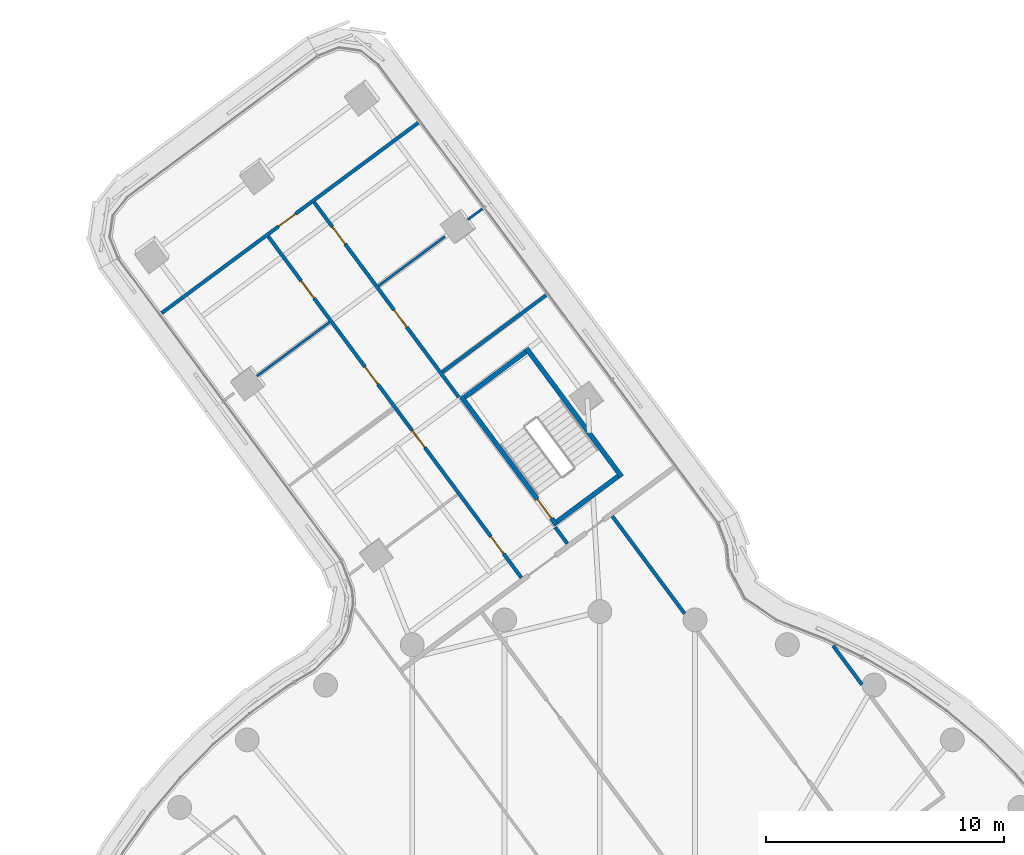
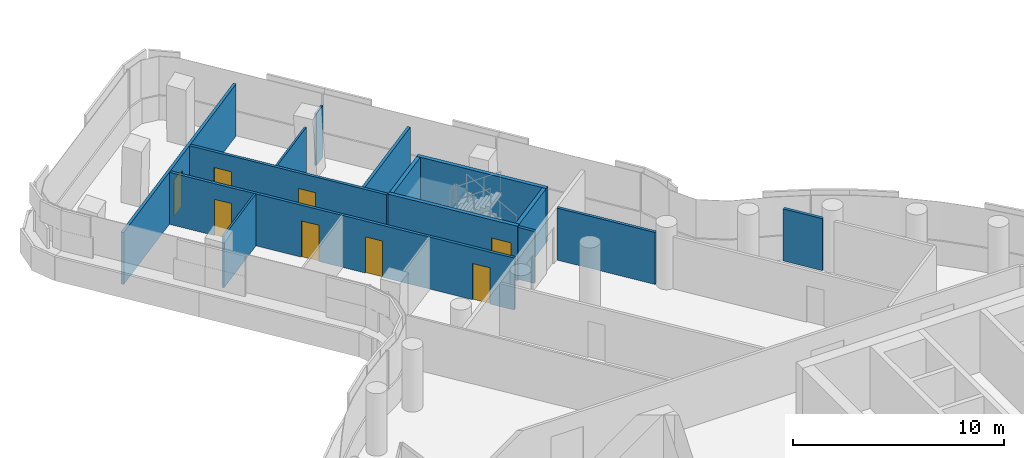
# One storey, part 24 of 32: 14 walls, 8 doors, 8 openings.
"""IFC4 building model written with IfcOpenShell, lengths in metres."""

from ifc_helpers import new_model, si_unit, direction, frame, frame_2d, origin, place, context, subcontext, project, spatial, polyline, rectangle, outline, extrude, material, layer, layer_set, type_object, element, fill, save


model = new_model("IFC4")

# Units and contexts
model_context = context("Model", 3, precision=1e-05, world=origin(), true_north=direction((0.0, 1.0)))
body_context = subcontext(model_context, "Body", "Model", "MODEL_VIEW")
ifc_project = project(units=[si_unit("LENGTHUNIT", "METRE"), si_unit("AREAUNIT", "SQUARE_METRE"), si_unit("VOLUMEUNIT", "CUBIC_METRE"), si_unit("PLANEANGLEUNIT", "RADIAN"), si_unit("MASSUNIT", "GRAM", prefix="KILO")], contexts=[model_context])

# Site, building, storey
site_placement = place(None, origin())
site = spatial("IfcSite", under=ifc_project, at=site_placement, CompositionType="ELEMENT")
building_placement = place(site_placement, origin())
building = spatial("IfcBuilding", under=site, at=building_placement, Name="Tamarind Cross Interchange Tower", CompositionType="ELEMENT")
storey_placement = place(building_placement, frame((0.0, 0.0, 166.75)))
storey = spatial("IfcBuildingStorey", under=building, at=storey_placement, Name="L41", CompositionType="ELEMENT", Elevation=166.75)

# Walls
ifc_material_1 = material(Name="Gypsum board partition on steel studs", Category="steel")
ifc_layer_1 = layer(ifc_material_1, 0.10009765625)
ifc_layer_set_1 = layer_set([ifc_layer_1], Name="Gypsum board partition on steel studs")
wall_type_1 = type_object("IfcWallType", Name="Partition 100 mm EI 90", PredefinedType="PARTITIONING", material=ifc_layer_set_1)
wall_1_placement = place(storey_placement, frame((-14.37841796875, 32.87451171875, 0.0), z_axis=(0.0, 0.0, 1.0), x_axis=(0.803101008, 0.595842907946, 0.0)))
element("IfcWall", 1, at=wall_1_placement, inside=storey, type_object=wall_type_1, Name="Partition L41-045", PredefinedType="PARTITIONING", context=body_context, shape_type="SweptSolid", body=[
    extrude(rectangle(XDim=3.794189453125, YDim=0.10009765625, at=frame_2d((1.89697265625, 0.0))), origin(), (0.0, 0.0, 1.0), 3.010009765625),
])
wall_2_placement = place(storey_placement, frame((-9.279296875, 36.657470703125, 0.0), z_axis=(0.0, 0.0, 1.0), x_axis=(0.80310996287, 0.595830838023, 0.0)))
element("IfcWall", 2, at=wall_2_placement, inside=storey, type_object=wall_type_1, Name="Partition L41-046", PredefinedType="PARTITIONING", context=body_context, shape_type="SweptSolid", body=[
    extrude(rectangle(XDim=3.473388671875, YDim=0.10009765625, at=frame_2d((1.73681640625, 0.0))), origin(), (0.0, 0.0, 1.0), 3.010009765625),
])
wall_3_placement = place(storey_placement, frame((-5.533203125, 39.436767578125, 0.0), z_axis=(0.0, 0.0, 1.0), x_axis=(0.803172949191, 0.595745930484, 0.0)))
element("IfcWall", 3, at=wall_3_placement, inside=storey, type_object=wall_type_1, Name="Partition L41-047", PredefinedType="PARTITIONING", context=body_context, shape_type="SweptSolid", body=[
    extrude(rectangle(XDim=0.75439453125, YDim=0.10009765625, at=frame_2d((0.377197265625, 0.0))), origin(), (0.0, 0.0, 1.0), 3.010009765625),
])

# Wall, openings, doors
ifc_layer_2 = layer(ifc_material_1, 0.14990234375)
ifc_layer_set_2 = layer_set([ifc_layer_2], Name="Gypsum board partition on steel studs")
wall_type_2 = type_object("IfcWallType", Name="Partition 150 mm EI 120", PredefinedType="PARTITIONING", material=ifc_layer_set_2)
wall_4_placement = place(storey_placement, frame((-13.904296875, 38.729736328125, 0.0), z_axis=(0.0, 0.0, 1.0), x_axis=(0.59579618611, -0.803135670119, 0.0)))
wall_4 = element("IfcWall", 4, at=wall_4_placement, inside=storey, type_object=wall_type_2, Name="Partition L41-009", PredefinedType="PARTITIONING", context=body_context, shape_type="SweptSolid", body=[
    extrude(rectangle(XDim=17.820068359375, YDim=0.14990234375, at=frame_2d((8.91015625, 0.0))), origin(), (0.0, 0.0, 1.0), 3.010009765625),
])
opening_1_placement = place(wall_4_placement, frame((15.67041015625, 0.0, 0.0)))
opening_1 = element("IfcOpeningElement", 5, at=opening_1_placement, cuts=wall_4, Name="Opening D03", PredefinedType="OPENING", context=body_context, shape_type="SweptSolid", body=[
    extrude(rectangle(XDim=0.89990234375, YDim=2.10009765625, at=frame_2d((0.449951171875, 1.050048828125))), frame((0.0, 0.0849609375, 0.0), z_axis=(0.0, -1.0, 0.0), x_axis=(1.0, 0.0, 0.0)), (0.0, 0.0, 1.0), 0.169921875),
])
opening_2_placement = place(wall_4_placement, frame((10.12060546875, 0.0, 0.0)))
opening_2 = element("IfcOpeningElement", 6, at=opening_2_placement, cuts=wall_4, Name="Opening D04", PredefinedType="OPENING", context=body_context, shape_type="SweptSolid", body=[
    extrude(rectangle(XDim=0.89990234375, YDim=2.10009765625, at=frame_2d((0.449951171875, 1.050048828125))), frame((0.0, 0.0849609375, 0.0), z_axis=(0.0, -1.0, 0.0), x_axis=(1.0, 0.0, 0.0)), (0.0, 0.0, 1.0), 0.169921875),
])
opening_3_placement = place(wall_4_placement, frame((6.81982421875, 0.0, 0.0)))
opening_3 = element("IfcOpeningElement", 7, at=opening_3_placement, cuts=wall_4, Name="Opening D05", PredefinedType="OPENING", context=body_context, shape_type="SweptSolid", body=[
    extrude(rectangle(XDim=0.89990234375, YDim=2.10009765625, at=frame_2d((0.449951171875, 1.050048828125))), frame((0.0, 0.0849609375, 0.0), z_axis=(0.0, -1.0, 0.0), x_axis=(1.0, 0.0, 0.0)), (0.0, 0.0, 1.0), 0.169921875),
])
opening_4_placement = place(wall_4_placement, frame((2.320068359375, 0.0, 0.0)))
opening_4 = element("IfcOpeningElement", 8, at=opening_4_placement, cuts=wall_4, Name="Opening D06", PredefinedType="OPENING", context=body_context, shape_type="SweptSolid", body=[
    extrude(rectangle(XDim=0.89990234375, YDim=2.10009765625, at=frame_2d((0.449951171875, 1.050048828125))), frame((0.0, 0.0849609375, 0.0), z_axis=(0.0, -1.0, 0.0), x_axis=(1.0, 0.0, 0.0)), (0.0, 0.0, 1.0), 0.169921875),
])
ifc_material_2 = material(Name="Fire-resisting door set")
door_type_1 = type_object("IfcDoorType", Name="Interior door 900 x 2100 FD60S", OperationType="SINGLE_SWING_LEFT", PredefinedType="DOOR", material=ifc_material_2)
door_1_placement = place(opening_1_placement, frame((0.89990234375, 0.0, 0.0), z_axis=(0.0, 0.0, 1.0), x_axis=(-1.0, 0.0, 0.0)))
door_1 = element("IfcDoor", 9, at=door_1_placement, inside=storey, type_object=door_type_1, Name="Door D03", OperationType="SINGLE_SWING_RIGHT", OverallHeight=2.10009765625, OverallWidth=0.89990234375, PredefinedType="DOOR", context=body_context, shape_type="SweptSolid", body=[
    extrude(rectangle(XDim=0.89990234375, YDim=2.10009765625, at=frame_2d((0.449951171875, 1.050048828125))), frame((0.0, 0.02490234375, 0.0), z_axis=(0.0, -1.0, 0.0), x_axis=(1.0, 0.0, 0.0)), (0.0, 0.0, 1.0), 0.050048828125),
])
fill(opening_1, door_1)
door_2_placement = place(opening_2_placement, frame((0.89990234375, 0.0, 0.0), z_axis=(0.0, 0.0, 1.0), x_axis=(-1.0, 0.0, 0.0)))
door_2 = element("IfcDoor", 10, at=door_2_placement, inside=storey, type_object=door_type_1, Name="Door D04", OperationType="SINGLE_SWING_RIGHT", OverallHeight=2.10009765625, OverallWidth=0.89990234375, PredefinedType="DOOR", context=body_context, shape_type="SweptSolid", body=[
    extrude(rectangle(XDim=0.89990234375, YDim=2.10009765625, at=frame_2d((0.449951171875, 1.050048828125))), frame((0.0, 0.02490234375, 0.0), z_axis=(0.0, -1.0, 0.0), x_axis=(1.0, 0.0, 0.0)), (0.0, 0.0, 1.0), 0.050048828125),
])
fill(opening_2, door_2)
door_3_placement = place(opening_3_placement, frame((0.89990234375, 0.0, 0.0), z_axis=(0.0, 0.0, 1.0), x_axis=(-1.0, 0.0, 0.0)))
door_3 = element("IfcDoor", 11, at=door_3_placement, inside=storey, type_object=door_type_1, Name="Door D05", OperationType="SINGLE_SWING_LEFT", OverallHeight=2.10009765625, OverallWidth=0.89990234375, PredefinedType="DOOR", context=body_context, shape_type="SweptSolid", body=[
    extrude(rectangle(XDim=0.89990234375, YDim=2.10009765625, at=frame_2d((0.449951171875, 1.050048828125))), frame((0.0, 0.02490234375, 0.0), z_axis=(0.0, -1.0, 0.0), x_axis=(1.0, 0.0, 0.0)), (0.0, 0.0, 1.0), 0.050048828125),
])
fill(opening_3, door_3)
door_4_placement = place(opening_4_placement, frame((0.89990234375, 0.0, 0.0), z_axis=(0.0, 0.0, 1.0), x_axis=(-1.0, 0.0, 0.0)))
door_4 = element("IfcDoor", 12, at=door_4_placement, inside=storey, type_object=door_type_1, Name="Door D06", OperationType="SINGLE_SWING_LEFT", OverallHeight=2.10009765625, OverallWidth=0.89990234375, PredefinedType="DOOR", context=body_context, shape_type="SweptSolid", body=[
    extrude(rectangle(XDim=0.89990234375, YDim=2.10009765625, at=frame_2d((0.449951171875, 1.050048828125))), frame((0.0, 0.02490234375, 0.0), z_axis=(0.0, -1.0, 0.0), x_axis=(1.0, 0.0, 0.0)), (0.0, 0.0, 1.0), 0.050048828125),
])
fill(opening_4, door_4)

wall_5_placement = place(storey_placement, frame((-11.976318359375, 40.15966796875, 0.0), z_axis=(0.0, 0.0, 1.0), x_axis=(0.595766582298, -0.803157630492, 0.0)))
wall_5 = element("IfcWall", 13, at=wall_5_placement, inside=storey, type_object=wall_type_2, Name="Partition L41-010", PredefinedType="PARTITIONING", context=body_context, shape_type="SweptSolid", body=[
    extrude(rectangle(XDim=10.17919921875, YDim=0.14990234375, at=frame_2d((5.089599609375, 0.0))), origin(), (0.0, 0.0, 1.0), 3.010009765625),
])
opening_5_placement = place(wall_5_placement, frame((5.62060546875, 0.0, 0.0)))
opening_5 = element("IfcOpeningElement", 14, at=opening_5_placement, cuts=wall_5, Name="Opening D07", PredefinedType="OPENING", context=body_context, shape_type="SweptSolid", body=[
    extrude(rectangle(XDim=0.89990234375, YDim=2.10009765625, at=frame_2d((0.449951171875, 1.050048828125))), frame((0.0, 0.0849609375, 0.0), z_axis=(0.0, -1.0, 0.0), x_axis=(1.0, 0.0, 0.0)), (0.0, 0.0, 1.0), 0.169921875),
])
opening_6_placement = place(wall_5_placement, frame((1.27001953125, 0.0, 0.0)))
opening_6 = element("IfcOpeningElement", 15, at=opening_6_placement, cuts=wall_5, Name="Opening D08", PredefinedType="OPENING", context=body_context, shape_type="SweptSolid", body=[
    extrude(rectangle(XDim=0.89990234375, YDim=2.10009765625, at=frame_2d((0.449951171875, 1.050048828125))), frame((0.0, 0.0849609375, 0.0), z_axis=(0.0, -1.0, 0.0), x_axis=(1.0, 0.0, 0.0)), (0.0, 0.0, 1.0), 0.169921875),
])
door_5_placement = place(opening_5_placement, origin())
door_5 = element("IfcDoor", 16, at=door_5_placement, inside=storey, type_object=door_type_1, Name="Door D07", OperationType="SINGLE_SWING_LEFT", OverallHeight=2.10009765625, OverallWidth=0.89990234375, PredefinedType="DOOR", context=body_context, shape_type="SweptSolid", body=[
    extrude(rectangle(XDim=0.89990234375, YDim=2.10009765625, at=frame_2d((0.449951171875, 1.050048828125))), frame((0.0, 0.02490234375, 0.0), z_axis=(0.0, -1.0, 0.0), x_axis=(1.0, 0.0, 0.0)), (0.0, 0.0, 1.0), 0.050048828125),
])
fill(opening_5, door_5)
door_6_placement = place(opening_6_placement, origin())
door_6 = element("IfcDoor", 17, at=door_6_placement, inside=storey, type_object=door_type_1, Name="Door D08", OperationType="SINGLE_SWING_RIGHT", OverallHeight=2.10009765625, OverallWidth=0.89990234375, PredefinedType="DOOR", context=body_context, shape_type="SweptSolid", body=[
    extrude(rectangle(XDim=0.89990234375, YDim=2.10009765625, at=frame_2d((0.449951171875, 1.050048828125))), frame((0.0, 0.02490234375, 0.0), z_axis=(0.0, -1.0, 0.0), x_axis=(1.0, 0.0, 0.0)), (0.0, 0.0, 1.0), 0.050048828125),
])
fill(opening_6, door_6)

# Walls
wall_6_placement = place(storey_placement, frame((-1.871826171875, 26.5380859375, 0.0), z_axis=(0.0, 0.0, 1.0), x_axis=(0.595675602575, -0.803225109478, 0.0)))
element("IfcWall", 18, at=wall_6_placement, inside=storey, type_object=wall_type_2, Name="Partition L41-011", PredefinedType="PARTITIONING", context=body_context, shape_type="SweptSolid", body=[
    extrude(rectangle(XDim=0.85986328125, YDim=0.14990234375, at=frame_2d((0.429931640625, 0.0))), origin(), (0.0, 0.0, 1.0), 3.010009765625),
])
wall_7_placement = place(storey_placement, frame((0.526611328125, 26.997802734375, 0.0), z_axis=(0.0, 0.0, 1.0), x_axis=(0.595769052074, -0.803155798455, 0.0)))
element("IfcWall", 19, at=wall_7_placement, inside=storey, type_object=wall_type_2, Name="Partition L41-018", PredefinedType="PARTITIONING", context=body_context, shape_type="SweptSolid", body=[
    extrude(rectangle(XDim=5.087890625, YDim=0.14990234375, at=frame_2d((2.5439453125, 0.0))), origin(), (0.0, 0.0, 1.0), 3.010009765625),
])
wall_8_placement = place(storey_placement, frame((9.784423828125, 21.56640625, 0.0), z_axis=(0.0, 0.0, 1.0), x_axis=(0.595779392593, -0.803148127908, 0.0)))
element("IfcWall", 20, at=wall_8_placement, inside=storey, type_object=wall_type_2, Name="Partition L41-025", PredefinedType="PARTITIONING", context=body_context, shape_type="SweptSolid", body=[
    extrude(rectangle(XDim=2.031005859375, YDim=0.14990234375, at=frame_2d((1.015625, 0.0))), origin(), (0.0, 0.0, 1.0), 3.010009765625),
])

# Wall, opening, door
wall_9_placement = place(storey_placement, frame((-18.374267578125, 35.513671875, 0.0), z_axis=(0.0, 0.0, 1.0), x_axis=(0.803155656838, 0.595769242987, 0.0)))
wall_9 = element("IfcWall", 21, at=wall_9_placement, inside=storey, type_object=wall_type_2, Name="Partition L41-043", PredefinedType="PARTITIONING", context=body_context, shape_type="SweptSolid", body=[
    extrude(rectangle(XDim=13.405029296875, YDim=0.14990234375, at=frame_2d((6.70263671875, 0.0))), origin(), (0.0, 0.0, 1.0), 3.010009765625),
])
opening_7_placement = place(wall_9_placement, frame((6.106201171875, 0.0, 0.0)))
opening_7 = element("IfcOpeningElement", 22, at=opening_7_placement, cuts=wall_9, Name="Opening D32", PredefinedType="OPENING", context=body_context, shape_type="SweptSolid", body=[
    extrude(rectangle(XDim=0.89990234375, YDim=2.10009765625, at=frame_2d((0.449951171875, 1.050048828125))), frame((0.0, 0.0849609375, 0.0), z_axis=(0.0, -1.0, 0.0), x_axis=(1.0, 0.0, 0.0)), (0.0, 0.0, 1.0), 0.169921875),
])
door_7_placement = place(opening_7_placement, origin())
door_7 = element("IfcDoor", 23, at=door_7_placement, inside=storey, type_object=door_type_1, Name="Door D32", OperationType="SINGLE_SWING_RIGHT", OverallHeight=2.10009765625, OverallWidth=0.89990234375, PredefinedType="DOOR", context=body_context, shape_type="SweptSolid", body=[
    extrude(rectangle(XDim=0.89990234375, YDim=2.10009765625, at=frame_2d((0.449951171875, 1.050048828125))), frame((0.0, 0.02490234375, 0.0), z_axis=(0.0, -1.0, 0.0), x_axis=(1.0, 0.0, 0.0)), (0.0, 0.0, 1.0), 0.050048828125),
])
fill(opening_7, door_7)

# Wall
wall_10_placement = place(storey_placement, frame((-6.597900390625, 33.04296875, 0.0), z_axis=(0.0, 0.0, 1.0), x_axis=(0.803114023256, 0.59582536506, 0.0)))
element("IfcWall", 24, at=wall_10_placement, inside=storey, type_object=wall_type_2, Name="Partition L41-050", PredefinedType="PARTITIONING", context=body_context, shape_type="SweptSolid", body=[
    extrude(rectangle(XDim=5.4189453125, YDim=0.14990234375, at=frame_2d((2.70947265625, 0.0))), origin(), (0.0, 0.0, 1.0), 3.010009765625),
])

# Wall, opening, door
ifc_material_3 = material(Name="Concrete C40", Category="concrete")
ifc_layer_3 = layer(ifc_material_3, 0.199951171875)
ifc_layer_set_3 = layer_set([ifc_layer_3], Name="Concrete C40")
wall_type_3 = type_object("IfcWallType", Name="Stair shaft wall 200 mm Concrete C40", PredefinedType="SHEAR", material=ifc_layer_set_3)
wall_11_placement = place(storey_placement, frame((-1.815673828125, 26.629638671875, -0.139892578125), z_axis=(0.0, 0.0, 1.0), x_axis=(-0.595776416227, 0.803150335783, 0.0)))
wall_11 = element("IfcWall", 25, at=wall_11_placement, inside=storey, type_object=wall_type_3, Name="Core wall CWL-L41-ST4-H", PredefinedType="SHEAR", context=body_context, shape_type="SweptSolid", body=[
    extrude(rectangle(XDim=6.699951171875, YDim=0.199951171875, at=frame_2d((3.35009765625, 0.0))), origin(), (0.0, 0.0, 1.0), 3.14990234375),
])
opening_8_placement = place(wall_11_placement, frame((0.35009765625, 0.0, 0.0)))
opening_8 = element("IfcOpeningElement", 26, at=opening_8_placement, cuts=wall_11, Name="Opening ST4L41", PredefinedType="OPENING", context=body_context, shape_type="SweptSolid", body=[
    extrude(rectangle(XDim=1.0, YDim=2.10009765625, at=frame_2d((0.5, 1.050048828125))), frame((0.0, 0.10986328125, 0.0), z_axis=(0.0, -1.0, 0.0), x_axis=(1.0, 0.0, 0.0)), (0.0, 0.0, 1.0), 0.219970703125),
])
ifc_material_4 = material(Name="Steel, fire-resisting", Category="steel")
door_type_2 = type_object("IfcDoorType", Name="Core fire door 1000 x 2100 FD90", OperationType="SINGLE_SWING_LEFT", PredefinedType="DOOR", material=ifc_material_4)
door_8_placement = place(opening_8_placement, origin())
door_8 = element("IfcDoor", 27, at=door_8_placement, inside=storey, type_object=door_type_2, Name="L41 stair door ST4", OperationType="SINGLE_SWING_LEFT", OverallHeight=2.10009765625, OverallWidth=1.0, PredefinedType="DOOR", context=body_context, shape_type="SweptSolid", body=[
    extrude(rectangle(XDim=1.0, YDim=2.10009765625, at=frame_2d((0.5, 1.050048828125))), frame((0.0, 0.02490234375, 0.0), z_axis=(0.0, -1.0, 0.0), x_axis=(1.0, 0.0, 0.0)), (0.0, 0.0, 1.0), 0.050048828125),
])
fill(opening_8, door_8)

# Walls
wall_12_placement = place(storey_placement, frame((0.9150390625, 28.6552734375, -0.139892578125), z_axis=(0.0, 0.0, 1.0), x_axis=(-0.595776416227, 0.803150335783, 0.0)))
element("IfcWall", 28, at=wall_12_placement, inside=storey, type_object=wall_type_3, Name="Core wall CWL-L41-ST4-C", PredefinedType="SHEAR", context=body_context, shape_type="SweptSolid", body=[
    extrude(rectangle(XDim=6.699951171875, YDim=0.199951171875, at=frame_2d((3.35009765625, 0.0))), origin(), (0.0, 0.0, 1.0), 3.14990234375),
])
wall_13_placement = place(storey_placement, frame((0.775146484375, 28.676025390625, -0.139892578125), z_axis=(0.0, 0.0, 1.0), x_axis=(-0.80314748859, -0.595780254432, 0.0)))
element("IfcWall", 29, at=wall_13_placement, inside=storey, type_object=wall_type_3, Name="Core wall CWL-L41-ST4-CE", PredefinedType="SHEAR", context=body_context, shape_type="SweptSolid", body=[
    extrude(rectangle(XDim=3.199951171875, YDim=0.199951171875, at=frame_2d((1.60009765625, 0.0))), origin(), (0.0, 0.0, 1.0), 3.14990234375),
])
wall_14_placement = place(storey_placement, frame((0.0, 0.0, -0.139892578125)))
element("IfcWall", 30, at=wall_14_placement, inside=storey, type_object=wall_type_3, Name="Core wall CWL-L41-ST4-CF", PredefinedType="SHEAR", context=body_context, shape_type="SweptSolid", body=[
    extrude(outline(polyline([(-3.037841796875, 33.816162109375), (-3.156982421875, 33.976806640625), (-5.72705078125, 32.0703125), (-5.60791015625, 31.90966796875), (-3.037841796875, 33.816162109375)])), origin(), (0.0, 0.0, 1.0), 3.14990234375),
])

save(model, "model.ifc")
